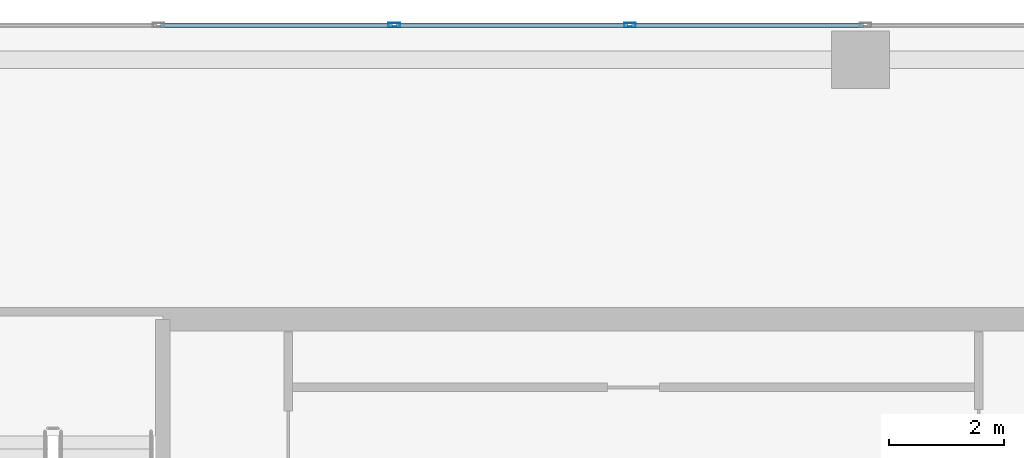
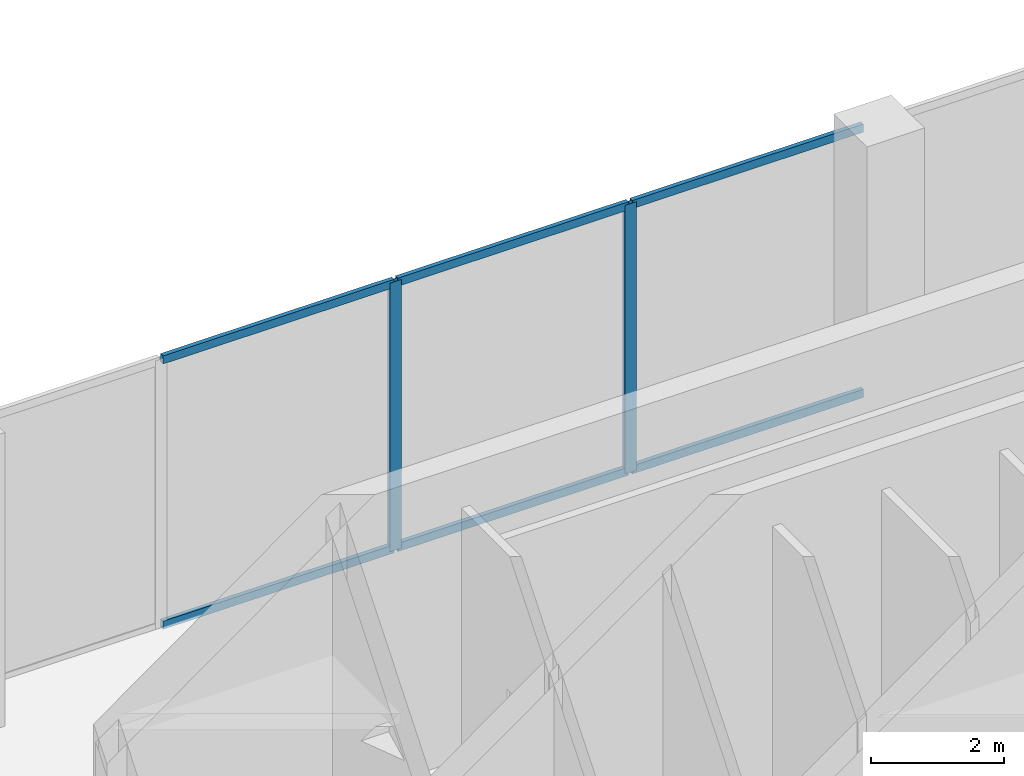
# One storey, part 15 of 24: 8 members, 1 element without a shape of its own.
"""IFC4 building model written with IfcOpenShell, lengths in metres."""

import ifcopenshell
import ifcopenshell.guid

model = None  # the IFC model being written
_history = None  # IfcOwnerHistory: only IFC2X3 demands one
_inside = {}  # id of a spatial element -> (the spatial element, [elements in it])
_under = {}  # id of a project, library or spatial element -> (it, [spatial elements below it])
_declared = {}  # id of a project -> (the project, [libraries it declares])
_typed = {}  # id of a type object -> (the type object, [elements of that type])
_made_of = {}  # id of a material, layer set ... -> (it, [elements and type objects made of it])


def new_model(schema):
    """Start an empty IFC model of exactly this schema.

    Asked for "IFC4X3", IfcOpenShell would pick the latest addendum, in which some entities
    have other attributes; the version numbers below select the first issue.
    IFC2X3 requires an IfcOwnerHistory on every rooted entity: one is made here for all.
    """
    global model, _history
    if schema == "IFC4X3":
        model = ifcopenshell.file(schema_version=(4, 3, 0, 0))
    else:
        model = ifcopenshell.file(schema=schema)
    _inside.clear()
    _under.clear()
    _declared.clear()
    _typed.clear()
    _made_of.clear()
    _history = None
    if model.schema == "IFC2X3":
        org = make("IfcOrganization", Name="unknown")
        user = make(
            "IfcPersonAndOrganization",
            ThePerson=make("IfcPerson", FamilyName="unknown"),
            TheOrganization=org,
        )
        app = make(
            "IfcApplication",
            ApplicationDeveloper=org,
            Version="unknown",
            ApplicationFullName="unknown",
            ApplicationIdentifier="unknown",
        )
        _history = make(
            "IfcOwnerHistory",
            OwningUser=user,
            OwningApplication=app,
            ChangeAction="ADDED",
            CreationDate=0,
        )
    return model


def make(cls, **values):
    """One entity of the class cls with the attributes given. An attribute that is None is left unset."""
    return model.create_entity(
        cls, **{name: value for name, value in values.items() if value is not None}
    )


def rooted(cls, **values):
    """An entity with a GlobalId (a new one), such as an element, a storey or a relation."""
    return make(cls, GlobalId=ifcopenshell.guid.new(), OwnerHistory=_history, **values)


def si_unit(unit_type, name, prefix=None):
    """IfcSIUnit, for example si_unit("LENGTHUNIT", "METRE", prefix="MILLI")."""
    return make("IfcSIUnit", UnitType=unit_type, Prefix=prefix, Name=name)


def assignment(units):
    """IfcUnitAssignment: the units of a project."""
    return None if units is None else make("IfcUnitAssignment", Units=units)


def point(xyz):
    """IfcCartesianPoint."""
    return None if xyz is None else make("IfcCartesianPoint", Coordinates=xyz)


def direction(xyz):
    """IfcDirection."""
    return None if xyz is None else make("IfcDirection", DirectionRatios=xyz)


def frame(location, z_axis=None, x_axis=None):
    """IfcAxis2Placement3D, a coordinate frame: its origin and axes. An axis left out is left unset."""
    return make(
        "IfcAxis2Placement3D",
        Location=point(location),
        Axis=direction(z_axis),
        RefDirection=direction(x_axis),
    )


def frame_2d(location, x_axis=None):
    """IfcAxis2Placement2D, a coordinate frame in the plane: its origin and x axis."""
    return make(
        "IfcAxis2Placement2D", Location=point(location), RefDirection=direction(x_axis)
    )


def origin():
    """The frame at (0, 0, 0) with its axes left unset."""
    return frame((0.0, 0.0, 0.0))


def origin_2d():
    """The frame at (0, 0) in the plane with its x axis left unset."""
    return frame_2d((0.0, 0.0))


def place(relative_to, where):
    """IfcLocalPlacement: puts the frame where relative to a parent placement (None: the world)."""
    return make(
        "IfcLocalPlacement", PlacementRelTo=relative_to, RelativePlacement=where
    )


def context(
    kind, dimensions, precision=None, world=None, true_north=None, identifier=None
):
    """IfcGeometricRepresentationContext, for example the 3D "Model" context."""
    return make(
        "IfcGeometricRepresentationContext",
        ContextIdentifier=identifier,
        ContextType=kind,
        CoordinateSpaceDimension=dimensions,
        Precision=precision,
        WorldCoordinateSystem=world,
        TrueNorth=true_north,
    )


def subcontext(parent, identifier, kind, view, scale=None):
    """IfcGeometricRepresentationSubContext, for example "Body" below "Model"."""
    return make(
        "IfcGeometricRepresentationSubContext",
        ContextIdentifier=identifier,
        ContextType=kind,
        ParentContext=parent,
        TargetScale=scale,
        TargetView=view,
    )


def project(units=None, contexts=None):
    """IfcProject with its units and contexts."""
    return rooted(
        "IfcProject",
        Name="project",
        RepresentationContexts=contexts,
        UnitsInContext=assignment(units),
    )


def spatial(cls, under=None, at=None, **own):
    """A site, building, storey or space (cls), placed at a placement, below another one or the project."""
    s = rooted(cls, ObjectPlacement=at, **own)
    if under is not None:
        _under.setdefault(under.id(), (under, []))[1].append(s)
    return s


def profile(cls, at=None, kind="AREA", **sizes):
    """A parametric profile (cls). Its sizes go by their IFC names, for example OverallWidth=200.0."""
    return make(cls, ProfileType=kind, Position=at, **sizes)


def hollow_rectangle(**sizes):
    """IfcRectangleHollowProfileDef."""
    return profile("IfcRectangleHollowProfileDef", **sizes)


def extrude(swept, where, along, depth):
    """IfcExtrudedAreaSolid: the profile swept, set in the frame where, extruded along a direction by depth."""
    return make(
        "IfcExtrudedAreaSolid",
        SweptArea=swept,
        Position=where,
        ExtrudedDirection=direction(along),
        Depth=depth,
    )


def shape(context_of_items, identifier, shape_type, items):
    """IfcShapeRepresentation: the items that make up one representation, for example the "Body"."""
    return make(
        "IfcShapeRepresentation",
        ContextOfItems=context_of_items,
        RepresentationIdentifier=identifier,
        RepresentationType=shape_type,
        Items=items,
    )


def material(Name=None, Category=None):
    """IfcMaterial."""
    return make("IfcMaterial", Name=Name, Category=Category)


def layer(
    of_material, thickness, ventilated=None, Name=None, Category=None, Priority=None
):
    """IfcMaterialLayer: one layer of a wall or slab, of a material (None: an air gap)."""
    return make(
        "IfcMaterialLayer",
        Material=of_material,
        LayerThickness=thickness,
        IsVentilated=ventilated,
        Name=Name,
        Category=Category,
        Priority=Priority,
    )


def layer_set(layers, Name=None):
    """IfcMaterialLayerSet."""
    return make("IfcMaterialLayerSet", MaterialLayers=layers, LayerSetName=Name)


def material_profile(
    of_material, cross_section, Name=None, Category=None, Priority=None
):
    """IfcMaterialProfile: a cross section and its material."""
    return make(
        "IfcMaterialProfile",
        Name=Name,
        Material=of_material,
        Profile=cross_section,
        Priority=Priority,
        Category=Category,
    )


def profile_set(profiles, Name=None, composite=None):
    """IfcMaterialProfileSet."""
    return make(
        "IfcMaterialProfileSet",
        Name=Name,
        MaterialProfiles=profiles,
        CompositeProfile=composite,
    )


def made_of(thing, what):
    """Note that an element or type object is made of a material, layer set ...; save() writes the relation."""
    if what is not None:
        _made_of.setdefault(what.id(), (what, []))[1].append(thing)
    return thing


def type_object(cls, material=None, **own):
    """A type object (cls), such as IfcWallType, which elements share."""
    return made_of(rooted(cls, **own), material)


def element(
    cls,
    number,
    at=None,
    inside=None,
    cuts=None,
    type_object=None,
    material=None,
    context=None,
    identifier="Body",
    shape_type=None,
    held_by="IfcProductDefinitionShape",
    body=None,
    shapes=None,
    **own,
):
    """One element of the class cls, such as IfcWall. Its Tag is "e" and its number.

    at: its placement. inside: the storey or other place that contains it. cuts: it is an
    opening in that element (IfcRelVoidsElement). A single representation is given by context,
    identifier, shape_type and body (its items); several are given by shapes. held_by: the class
    of the entity that holds the representations. save() writes the other relations.
    """
    e = rooted(cls, Tag="e%d" % number, ObjectPlacement=at, **own)
    if body is not None:
        shapes = [shape(context, identifier, shape_type, body)]
    if shapes is not None:
        e.Representation = make(held_by, Representations=shapes)
    if inside is not None:
        _inside.setdefault(inside.id(), (inside, []))[1].append(e)
    if cuts is not None:
        rooted(
            "IfcRelVoidsElement", RelatingBuildingElement=cuts, RelatedOpeningElement=e
        )
    if type_object is not None:
        _typed.setdefault(type_object.id(), (type_object, []))[1].append(e)
    return made_of(e, material)


def aggregate(whole, parts):
    """IfcRelAggregates: a whole, such as a stair, and the parts it consists of."""
    return rooted("IfcRelAggregates", RelatingObject=whole, RelatedObjects=parts)


def save(model, path):
    """Write the relations noted so far, then the file.

    IfcRelAggregates (storeys below a building ...), IfcRelContainedInSpatialStructure (elements
    in a storey), IfcRelDefinesByType, IfcRelAssociatesMaterial and IfcRelDeclares: one each for
    every whole, place, type object, material and project.
    """
    for whole, parts in _under.values():
        aggregate(whole, parts)
    for where, things in _inside.values():
        rooted(
            "IfcRelContainedInSpatialStructure",
            RelatedElements=things,
            RelatingStructure=where,
        )
    for kind, things in _typed.values():
        rooted("IfcRelDefinesByType", RelatedObjects=things, RelatingType=kind)
    for what, things in _made_of.values():
        rooted("IfcRelAssociatesMaterial", RelatedObjects=things, RelatingMaterial=what)
    for by, libraries in _declared.values():
        rooted("IfcRelDeclares", RelatingContext=by, RelatedDefinitions=libraries)
    model.write(path)


model = new_model("IFC4")

# Units and contexts
model_context = context("Model", 3, precision=1e-05, world=origin(), true_north=direction((0.0, 1.0)))
body_context = subcontext(model_context, "Body", "Model", "MODEL_VIEW")
ifc_project = project(units=[si_unit("LENGTHUNIT", "METRE"), si_unit("AREAUNIT", "SQUARE_METRE"), si_unit("VOLUMEUNIT", "CUBIC_METRE"), si_unit("PLANEANGLEUNIT", "RADIAN"), si_unit("MASSUNIT", "GRAM", prefix="KILO")], contexts=[model_context])

# Site, building, storey
site_placement = place(None, origin())
site = spatial("IfcSite", under=ifc_project, at=site_placement, CompositionType="ELEMENT")
building_placement = place(site_placement, origin())
building = spatial("IfcBuilding", under=site, at=building_placement, Name="Catumbela Crestline Tower", CompositionType="ELEMENT")
storey_placement = place(building_placement, frame((0.0, 0.0, 15.9)))
storey = spatial("IfcBuildingStorey", under=building, at=storey_placement, Name="L03", CompositionType="ELEMENT", Elevation=15.9)

# Curtain wall, members
ifc_material = material(Name="Aluminium alloy AW-6060-T66", Category="aluminium")
ifc_layer = layer(ifc_material, 0.18, Name="Aluminium alloy AW-6060-T66")
ifc_layer_set = layer_set([ifc_layer], Name="Aluminium alloy AW-6060-T66")
curtain_wall_type = type_object("IfcCurtainWallType", Name="CWS-POD", PredefinedType="USERDEFINED", material=ifc_layer_set)
curtain_wall_placement = place(storey_placement, origin())
curtain_wall = element("IfcCurtainWall", 1, at=curtain_wall_placement, inside=storey, type_object=curtain_wall_type, Name="L03 Stick Curtain Wall CW-L03-E7S1", ObjectType="STICK", PredefinedType="USERDEFINED")
ifc_material_profile_1 = material_profile(ifc_material, hollow_rectangle(XDim=0.075, YDim=0.2, WallThickness=0.005, at=origin_2d()), Name="ALU 200x75x5")
ifc_profile_set_1 = profile_set([ifc_material_profile_1], Name="Aluminium alloy AW-6060-T66")
member_type_1 = type_object("IfcMemberType", Name="MUL-200X75", PredefinedType="MULLION", material=ifc_profile_set_1)
member_1_placement = place(storey_placement, frame((28.0, 48.0, 0.0), z_axis=(0.0, 0.0, 1.0), x_axis=(0.0, -1.0, 0.0)))
member_1 = element("IfcMember", 2, at=member_1_placement, type_object=member_type_1, Name="CWS-POD mullion 7", PredefinedType="MULLION", context=body_context, shape_type="SweptSolid", body=[
    extrude(hollow_rectangle(XDim=0.075, YDim=0.2, WallThickness=0.005, at=origin_2d()), origin(), (0.0, 0.0, 1.0), 4.94),
])
member_2_placement = place(storey_placement, frame((23.9167, 48.0, 0.0), z_axis=(0.0, 0.0, 1.0), x_axis=(0.0, -1.0, 0.0)))
member_2 = element("IfcMember", 3, at=member_2_placement, type_object=member_type_1, Name="CWS-POD mullion 8", PredefinedType="MULLION", context=body_context, shape_type="SweptSolid", body=[
    extrude(hollow_rectangle(XDim=0.075, YDim=0.2, WallThickness=0.005, at=origin_2d()), origin(), (0.0, 0.0, 1.0), 4.94),
])
ifc_material_profile_2 = material_profile(ifc_material, hollow_rectangle(XDim=0.075, YDim=0.15, WallThickness=0.0045, at=origin_2d()), Name="ALU 150x75x4.5")
ifc_profile_set_2 = profile_set([ifc_material_profile_2], Name="Aluminium alloy AW-6060-T66")
member_type_2 = type_object("IfcMemberType", Name="TRN-150X75", PredefinedType="USERDEFINED", material=ifc_profile_set_2)
member_3_placement = place(storey_placement, frame((32.0508, 48.0, 0.03), z_axis=(-1.0, 0.0, 0.0), x_axis=(0.0, -1.0, 0.0)))
member_3 = element("IfcMember", 4, at=member_3_placement, type_object=member_type_2, Name="CWS-POD transom 6.1", ObjectType="TRANSOM", PredefinedType="USERDEFINED", context=body_context, shape_type="SweptSolid", body=[
    extrude(hollow_rectangle(XDim=0.075, YDim=0.15, WallThickness=0.0045, at=origin_2d()), origin(), (0.0, 0.0, 1.0), 4.0183),
])
member_4_placement = place(storey_placement, frame((32.0508, 48.0, 4.91), z_axis=(-1.0, 0.0, 0.0), x_axis=(0.0, -1.0, 0.0)))
member_4 = element("IfcMember", 5, at=member_4_placement, type_object=member_type_2, Name="CWS-POD transom 6.2", ObjectType="TRANSOM", PredefinedType="USERDEFINED", context=body_context, shape_type="SweptSolid", body=[
    extrude(hollow_rectangle(XDim=0.075, YDim=0.15, WallThickness=0.0045, at=origin_2d()), origin(), (0.0, 0.0, 1.0), 4.0183),
])
member_5_placement = place(storey_placement, frame((27.9675, 48.0, 0.03), z_axis=(-1.0, 0.0, 0.0), x_axis=(0.0, -1.0, 0.0)))
member_5 = element("IfcMember", 6, at=member_5_placement, type_object=member_type_2, Name="CWS-POD transom 7.1", ObjectType="TRANSOM", PredefinedType="USERDEFINED", context=body_context, shape_type="SweptSolid", body=[
    extrude(hollow_rectangle(XDim=0.075, YDim=0.15, WallThickness=0.0045, at=origin_2d()), origin(), (0.0, 0.0, 1.0), 4.0183),
])
member_6_placement = place(storey_placement, frame((27.9675, 48.0, 4.91), z_axis=(-1.0, 0.0, 0.0), x_axis=(0.0, -1.0, 0.0)))
member_6 = element("IfcMember", 7, at=member_6_placement, type_object=member_type_2, Name="CWS-POD transom 7.2", ObjectType="TRANSOM", PredefinedType="USERDEFINED", context=body_context, shape_type="SweptSolid", body=[
    extrude(hollow_rectangle(XDim=0.075, YDim=0.15, WallThickness=0.0045, at=origin_2d()), origin(), (0.0, 0.0, 1.0), 4.0183),
])
member_7_placement = place(storey_placement, frame((23.8842, 48.0, 0.03), z_axis=(-1.0, 0.0, 0.0), x_axis=(0.0, -1.0, 0.0)))
member_7 = element("IfcMember", 8, at=member_7_placement, type_object=member_type_2, Name="CWS-POD transom 8.1", ObjectType="TRANSOM", PredefinedType="USERDEFINED", context=body_context, shape_type="SweptSolid", body=[
    extrude(hollow_rectangle(XDim=0.075, YDim=0.15, WallThickness=0.0045, at=origin_2d()), origin(), (0.0, 0.0, 1.0), 4.0184),
])
member_8_placement = place(storey_placement, frame((23.8842, 48.0, 4.91), z_axis=(-1.0, 0.0, 0.0), x_axis=(0.0, -1.0, 0.0)))
member_8 = element("IfcMember", 9, at=member_8_placement, type_object=member_type_2, Name="CWS-POD transom 8.2", ObjectType="TRANSOM", PredefinedType="USERDEFINED", context=body_context, shape_type="SweptSolid", body=[
    extrude(hollow_rectangle(XDim=0.075, YDim=0.15, WallThickness=0.0045, at=origin_2d()), origin(), (0.0, 0.0, 1.0), 4.0184),
])
aggregate(curtain_wall, [member_1, member_2, member_3, member_4, member_5, member_6, member_7, member_8])

save(model, "model.ifc")
